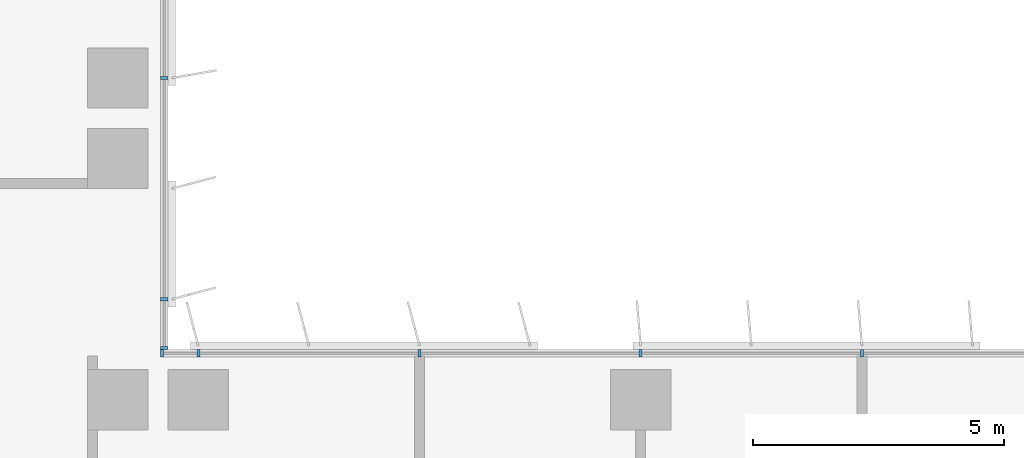
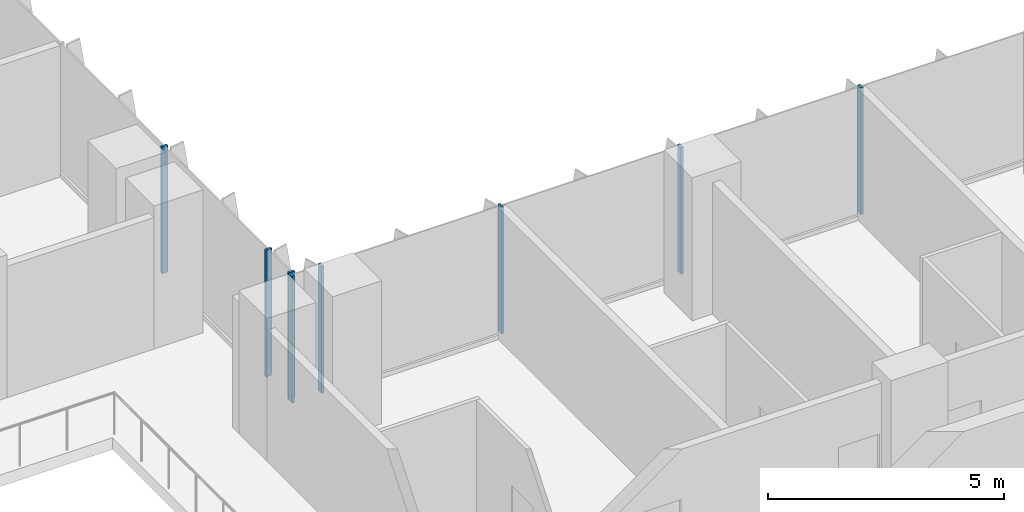
# One storey, part 2 of 22: 8 members, 2 elements without a shape of their own.
"""IFC4 building model written with IfcOpenShell, lengths in metres."""

import ifcopenshell
import ifcopenshell.guid

model = None  # the IFC model being written
_history = None  # IfcOwnerHistory: only IFC2X3 demands one
_inside = {}  # id of a spatial element -> (the spatial element, [elements in it])
_under = {}  # id of a project, library or spatial element -> (it, [spatial elements below it])
_declared = {}  # id of a project -> (the project, [libraries it declares])
_typed = {}  # id of a type object -> (the type object, [elements of that type])
_made_of = {}  # id of a material, layer set ... -> (it, [elements and type objects made of it])


def new_model(schema):
    """Start an empty IFC model of exactly this schema.

    Asked for "IFC4X3", IfcOpenShell would pick the latest addendum, in which some entities
    have other attributes; the version numbers below select the first issue.
    IFC2X3 requires an IfcOwnerHistory on every rooted entity: one is made here for all.
    """
    global model, _history
    if schema == "IFC4X3":
        model = ifcopenshell.file(schema_version=(4, 3, 0, 0))
    else:
        model = ifcopenshell.file(schema=schema)
    _inside.clear()
    _under.clear()
    _declared.clear()
    _typed.clear()
    _made_of.clear()
    _history = None
    if model.schema == "IFC2X3":
        org = make("IfcOrganization", Name="unknown")
        user = make(
            "IfcPersonAndOrganization",
            ThePerson=make("IfcPerson", FamilyName="unknown"),
            TheOrganization=org,
        )
        app = make(
            "IfcApplication",
            ApplicationDeveloper=org,
            Version="unknown",
            ApplicationFullName="unknown",
            ApplicationIdentifier="unknown",
        )
        _history = make(
            "IfcOwnerHistory",
            OwningUser=user,
            OwningApplication=app,
            ChangeAction="ADDED",
            CreationDate=0,
        )
    return model


def make(cls, **values):
    """One entity of the class cls with the attributes given. An attribute that is None is left unset."""
    return model.create_entity(
        cls, **{name: value for name, value in values.items() if value is not None}
    )


def rooted(cls, **values):
    """An entity with a GlobalId (a new one), such as an element, a storey or a relation."""
    return make(cls, GlobalId=ifcopenshell.guid.new(), OwnerHistory=_history, **values)


def si_unit(unit_type, name, prefix=None):
    """IfcSIUnit, for example si_unit("LENGTHUNIT", "METRE", prefix="MILLI")."""
    return make("IfcSIUnit", UnitType=unit_type, Prefix=prefix, Name=name)


def assignment(units):
    """IfcUnitAssignment: the units of a project."""
    return None if units is None else make("IfcUnitAssignment", Units=units)


def point(xyz):
    """IfcCartesianPoint."""
    return None if xyz is None else make("IfcCartesianPoint", Coordinates=xyz)


def direction(xyz):
    """IfcDirection."""
    return None if xyz is None else make("IfcDirection", DirectionRatios=xyz)


def frame(location, z_axis=None, x_axis=None):
    """IfcAxis2Placement3D, a coordinate frame: its origin and axes. An axis left out is left unset."""
    return make(
        "IfcAxis2Placement3D",
        Location=point(location),
        Axis=direction(z_axis),
        RefDirection=direction(x_axis),
    )


def frame_2d(location, x_axis=None):
    """IfcAxis2Placement2D, a coordinate frame in the plane: its origin and x axis."""
    return make(
        "IfcAxis2Placement2D", Location=point(location), RefDirection=direction(x_axis)
    )


def origin():
    """The frame at (0, 0, 0) with its axes left unset."""
    return frame((0.0, 0.0, 0.0))


def origin_2d():
    """The frame at (0, 0) in the plane with its x axis left unset."""
    return frame_2d((0.0, 0.0))


def place(relative_to, where):
    """IfcLocalPlacement: puts the frame where relative to a parent placement (None: the world)."""
    return make(
        "IfcLocalPlacement", PlacementRelTo=relative_to, RelativePlacement=where
    )


def context(
    kind, dimensions, precision=None, world=None, true_north=None, identifier=None
):
    """IfcGeometricRepresentationContext, for example the 3D "Model" context."""
    return make(
        "IfcGeometricRepresentationContext",
        ContextIdentifier=identifier,
        ContextType=kind,
        CoordinateSpaceDimension=dimensions,
        Precision=precision,
        WorldCoordinateSystem=world,
        TrueNorth=true_north,
    )


def subcontext(parent, identifier, kind, view, scale=None):
    """IfcGeometricRepresentationSubContext, for example "Body" below "Model"."""
    return make(
        "IfcGeometricRepresentationSubContext",
        ContextIdentifier=identifier,
        ContextType=kind,
        ParentContext=parent,
        TargetScale=scale,
        TargetView=view,
    )


def project(units=None, contexts=None):
    """IfcProject with its units and contexts."""
    return rooted(
        "IfcProject",
        Name="project",
        RepresentationContexts=contexts,
        UnitsInContext=assignment(units),
    )


def spatial(cls, under=None, at=None, **own):
    """A site, building, storey or space (cls), placed at a placement, below another one or the project."""
    s = rooted(cls, ObjectPlacement=at, **own)
    if under is not None:
        _under.setdefault(under.id(), (under, []))[1].append(s)
    return s


def profile(cls, at=None, kind="AREA", **sizes):
    """A parametric profile (cls). Its sizes go by their IFC names, for example OverallWidth=200.0."""
    return make(cls, ProfileType=kind, Position=at, **sizes)


def rectangle(**sizes):
    """IfcRectangleProfileDef."""
    return profile("IfcRectangleProfileDef", **sizes)


def extrude(swept, where, along, depth):
    """IfcExtrudedAreaSolid: the profile swept, set in the frame where, extruded along a direction by depth."""
    return make(
        "IfcExtrudedAreaSolid",
        SweptArea=swept,
        Position=where,
        ExtrudedDirection=direction(along),
        Depth=depth,
    )


def shape(context_of_items, identifier, shape_type, items):
    """IfcShapeRepresentation: the items that make up one representation, for example the "Body"."""
    return make(
        "IfcShapeRepresentation",
        ContextOfItems=context_of_items,
        RepresentationIdentifier=identifier,
        RepresentationType=shape_type,
        Items=items,
    )


def source(mapping_origin, context_of_items, identifier, shape_type, items):
    """IfcRepresentationMap: a shape defined once, which mapped items show again and again."""
    return make(
        "IfcRepresentationMap",
        MappingOrigin=mapping_origin,
        MappedRepresentation=shape(context_of_items, identifier, shape_type, items),
    )


def transform(
    local_origin,
    x_axis=None,
    y_axis=None,
    z_axis=None,
    scale=None,
    scale2=None,
    scale3=None,
    uniform=True,
):
    """IfcCartesianTransformationOperator3D, or its non-uniform kind. x_axis, y_axis, z_axis: its Axis1, 2, 3."""
    if uniform:
        return make(
            "IfcCartesianTransformationOperator3D",
            Axis1=direction(x_axis),
            Axis2=direction(y_axis),
            LocalOrigin=point(local_origin),
            Scale=scale,
            Axis3=direction(z_axis),
        )
    return make(
        "IfcCartesianTransformationOperator3DnonUniform",
        Axis1=direction(x_axis),
        Axis2=direction(y_axis),
        LocalOrigin=point(local_origin),
        Scale=scale,
        Axis3=direction(z_axis),
        Scale2=scale2,
        Scale3=scale3,
    )


def mapped(mapping_source, mapping_target):
    """IfcMappedItem: shows the shape of a source again, moved by a transform."""
    return make(
        "IfcMappedItem", MappingSource=mapping_source, MappingTarget=mapping_target
    )


def material(Name=None, Category=None):
    """IfcMaterial."""
    return make("IfcMaterial", Name=Name, Category=Category)


def material_profile(
    of_material, cross_section, Name=None, Category=None, Priority=None
):
    """IfcMaterialProfile: a cross section and its material."""
    return make(
        "IfcMaterialProfile",
        Name=Name,
        Material=of_material,
        Profile=cross_section,
        Priority=Priority,
        Category=Category,
    )


def profile_set(profiles, Name=None, composite=None):
    """IfcMaterialProfileSet."""
    return make(
        "IfcMaterialProfileSet",
        Name=Name,
        MaterialProfiles=profiles,
        CompositeProfile=composite,
    )


def made_of(thing, what):
    """Note that an element or type object is made of a material, layer set ...; save() writes the relation."""
    if what is not None:
        _made_of.setdefault(what.id(), (what, []))[1].append(thing)
    return thing


def type_object(cls, material=None, **own):
    """A type object (cls), such as IfcWallType, which elements share."""
    return made_of(rooted(cls, **own), material)


def element(
    cls,
    number,
    at=None,
    inside=None,
    cuts=None,
    type_object=None,
    material=None,
    context=None,
    identifier="Body",
    shape_type=None,
    held_by="IfcProductDefinitionShape",
    body=None,
    shapes=None,
    **own,
):
    """One element of the class cls, such as IfcWall. Its Tag is "e" and its number.

    at: its placement. inside: the storey or other place that contains it. cuts: it is an
    opening in that element (IfcRelVoidsElement). A single representation is given by context,
    identifier, shape_type and body (its items); several are given by shapes. held_by: the class
    of the entity that holds the representations. save() writes the other relations.
    """
    e = rooted(cls, Tag="e%d" % number, ObjectPlacement=at, **own)
    if body is not None:
        shapes = [shape(context, identifier, shape_type, body)]
    if shapes is not None:
        e.Representation = make(held_by, Representations=shapes)
    if inside is not None:
        _inside.setdefault(inside.id(), (inside, []))[1].append(e)
    if cuts is not None:
        rooted(
            "IfcRelVoidsElement", RelatingBuildingElement=cuts, RelatedOpeningElement=e
        )
    if type_object is not None:
        _typed.setdefault(type_object.id(), (type_object, []))[1].append(e)
    return made_of(e, material)


def aggregate(whole, parts):
    """IfcRelAggregates: a whole, such as a stair, and the parts it consists of."""
    return rooted("IfcRelAggregates", RelatingObject=whole, RelatedObjects=parts)


def save(model, path):
    """Write the relations noted so far, then the file.

    IfcRelAggregates (storeys below a building ...), IfcRelContainedInSpatialStructure (elements
    in a storey), IfcRelDefinesByType, IfcRelAssociatesMaterial and IfcRelDeclares: one each for
    every whole, place, type object, material and project.
    """
    for whole, parts in _under.values():
        aggregate(whole, parts)
    for where, things in _inside.values():
        rooted(
            "IfcRelContainedInSpatialStructure",
            RelatedElements=things,
            RelatingStructure=where,
        )
    for kind, things in _typed.values():
        rooted("IfcRelDefinesByType", RelatedObjects=things, RelatingType=kind)
    for what, things in _made_of.values():
        rooted("IfcRelAssociatesMaterial", RelatedObjects=things, RelatingMaterial=what)
    for by, libraries in _declared.values():
        rooted("IfcRelDeclares", RelatingContext=by, RelatedDefinitions=libraries)
    model.write(path)


model = new_model("IFC4")

# Units and contexts
model_context = context("Model", 3, precision=1e-05, world=origin(), true_north=direction((0.0, 1.0)))
body_context = subcontext(model_context, "Body", "Model", "MODEL_VIEW")
ifc_project = project(units=[si_unit("LENGTHUNIT", "METRE"), si_unit("AREAUNIT", "SQUARE_METRE"), si_unit("VOLUMEUNIT", "CUBIC_METRE"), si_unit("PLANEANGLEUNIT", "RADIAN"), si_unit("MASSUNIT", "GRAM", prefix="KILO")], contexts=[model_context])

# Site, building, storey
site_placement = place(None, origin())
site = spatial("IfcSite", under=ifc_project, at=site_placement, CompositionType="ELEMENT")
building_placement = place(site_placement, origin())
building = spatial("IfcBuilding", under=site, at=building_placement, Name="Kemantara Hotel Tower", CompositionType="ELEMENT")
storey_placement = place(building_placement, frame((0.0, 0.0, 111.10009765625)))
storey = spatial("IfcBuildingStorey", under=building, at=storey_placement, Name="L26", CompositionType="ELEMENT", Elevation=111.10009765625)

# Curtain wall, members
ifc_material_1 = material(Name="Low-E tinted double insulated glass 36 mm", Category="glass")
curtain_wall_type = type_object("IfcCurtainWallType", Name="TOWER CURTAIN WALL, FRONT FACES", PredefinedType="USERDEFINED", material=ifc_material_1)
curtain_wall_1_placement = place(storey_placement, origin())
curtain_wall_1 = element("IfcCurtainWall", 1, at=curtain_wall_1_placement, inside=storey, type_object=curtain_wall_type, Name="CW4 L26 T2-R13-1", ObjectType="TOWER CURTAIN WALL, FRONT FACES", PredefinedType="USERDEFINED")
ifc_material_2 = material(Name="Aluminium 6063-T6 bronze anodised", Category="aluminium")
ifc_material_profile = material_profile(ifc_material_2, rectangle(XDim=0.14990234375, YDim=0.06005859375, at=origin_2d()), Name="TOWER CURTAIN WALL, FRONT FACES MULLION")
ifc_profile_set = profile_set([ifc_material_profile], Name="Aluminium 6063-T6 bronze anodised")
member_type = type_object("IfcMemberType", Name="TOWER CURTAIN WALL, FRONT FACES MULLION", PredefinedType="MULLION", material=ifc_profile_set)
shared_shape = source(origin(), body_context, "Body", "SweptSolid", [
    extrude(rectangle(XDim=0.14990234375, YDim=0.06005859375, at=origin_2d()), origin(), (0.0, 0.0, 1.0), 3.280029296875),
])
member_1_placement = place(storey_placement, frame((40.60009765625, 21.925048828125, 0.119873046875), z_axis=(0.0, 0.0, 1.0), x_axis=(0.0, -1.0, 0.0)))
member_1 = element("IfcMember", 2, at=member_1_placement, type_object=member_type, Name="CW4 mullion T2-R13-1.6", PredefinedType="MULLION", context=body_context, shape_type="MappedRepresentation", body=[
    mapped(shared_shape, transform((0.0, 0.0, 0.0))),
])
member_2_placement = place(storey_placement, frame((36.199951171875, 21.925048828125, 0.119873046875), z_axis=(0.0, 0.0, 1.0), x_axis=(0.0, -1.0, 0.0)))
member_2 = element("IfcMember", 3, at=member_2_placement, type_object=member_type, Name="CW4 mullion T2-R13-1.7", PredefinedType="MULLION", context=body_context, shape_type="MappedRepresentation", body=[
    mapped(shared_shape, transform((0.0, 0.0, 0.0))),
])
member_3_placement = place(storey_placement, frame((31.800048828125, 21.925048828125, 0.119873046875), z_axis=(0.0, 0.0, 1.0), x_axis=(0.0, -1.0, 0.0)))
member_3 = element("IfcMember", 4, at=member_3_placement, type_object=member_type, Name="CW4 mullion T2-R13-1.8", PredefinedType="MULLION", context=body_context, shape_type="MappedRepresentation", body=[
    mapped(shared_shape, transform((0.0, 0.0, 0.0))),
])
member_4_placement = place(storey_placement, frame((27.39990234375, 21.925048828125, 0.119873046875), z_axis=(0.0, 0.0, 1.0), x_axis=(0.0, -1.0, 0.0)))
member_4 = element("IfcMember", 5, at=member_4_placement, type_object=member_type, Name="CW4 mullion T2-R13-1.9", PredefinedType="MULLION", context=body_context, shape_type="MappedRepresentation", body=[
    mapped(shared_shape, transform((0.0, 0.0, 0.0))),
])
member_5_placement = place(storey_placement, frame((26.679931640625, 21.925048828125, 0.119873046875), z_axis=(0.0, 0.0, 1.0), x_axis=(0.0, -1.0, 0.0)))
member_5 = element("IfcMember", 6, at=member_5_placement, type_object=member_type, Name="CW4 mullion T2-R13-1.10", PredefinedType="MULLION", context=body_context, shape_type="MappedRepresentation", body=[
    mapped(shared_shape, transform((0.0, 0.0, 0.0))),
])
aggregate(curtain_wall_1, [member_1, member_2, member_3, member_4, member_5])

curtain_wall_2_placement = place(storey_placement, origin())
curtain_wall_2 = element("IfcCurtainWall", 7, at=curtain_wall_2_placement, inside=storey, type_object=curtain_wall_type, Name="CW4 L26 T2-R14-1", ObjectType="TOWER CURTAIN WALL, FRONT FACES", PredefinedType="USERDEFINED")
member_6_placement = place(storey_placement, frame((26.72509765625, 22.030029296875, 0.119873046875), z_axis=(0.0, 0.0, 1.0), x_axis=(-1.0, 0.0, 0.0)))
member_6 = element("IfcMember", 8, at=member_6_placement, type_object=member_type, Name="CW4 mullion T2-R14-1.1", PredefinedType="MULLION", context=body_context, shape_type="MappedRepresentation", body=[
    mapped(shared_shape, transform((0.0, 0.0, 0.0))),
])
member_7_placement = place(storey_placement, frame((26.72509765625, 23.0, 0.119873046875), z_axis=(0.0, 0.0, 1.0), x_axis=(-1.0, 0.0, 0.0)))
member_7 = element("IfcMember", 9, at=member_7_placement, type_object=member_type, Name="CW4 mullion T2-R14-1.2", PredefinedType="MULLION", context=body_context, shape_type="MappedRepresentation", body=[
    mapped(shared_shape, transform((0.0, 0.0, 0.0))),
])
member_8_placement = place(storey_placement, frame((26.72509765625, 27.39990234375, 0.119873046875), z_axis=(0.0, 0.0, 1.0), x_axis=(-1.0, 0.0, 0.0)))
member_8 = element("IfcMember", 10, at=member_8_placement, type_object=member_type, Name="CW4 mullion T2-R14-1.3", PredefinedType="MULLION", context=body_context, shape_type="MappedRepresentation", body=[
    mapped(shared_shape, transform((0.0, 0.0, 0.0))),
])
aggregate(curtain_wall_2, [member_6, member_7, member_8])

save(model, "model.ifc")
